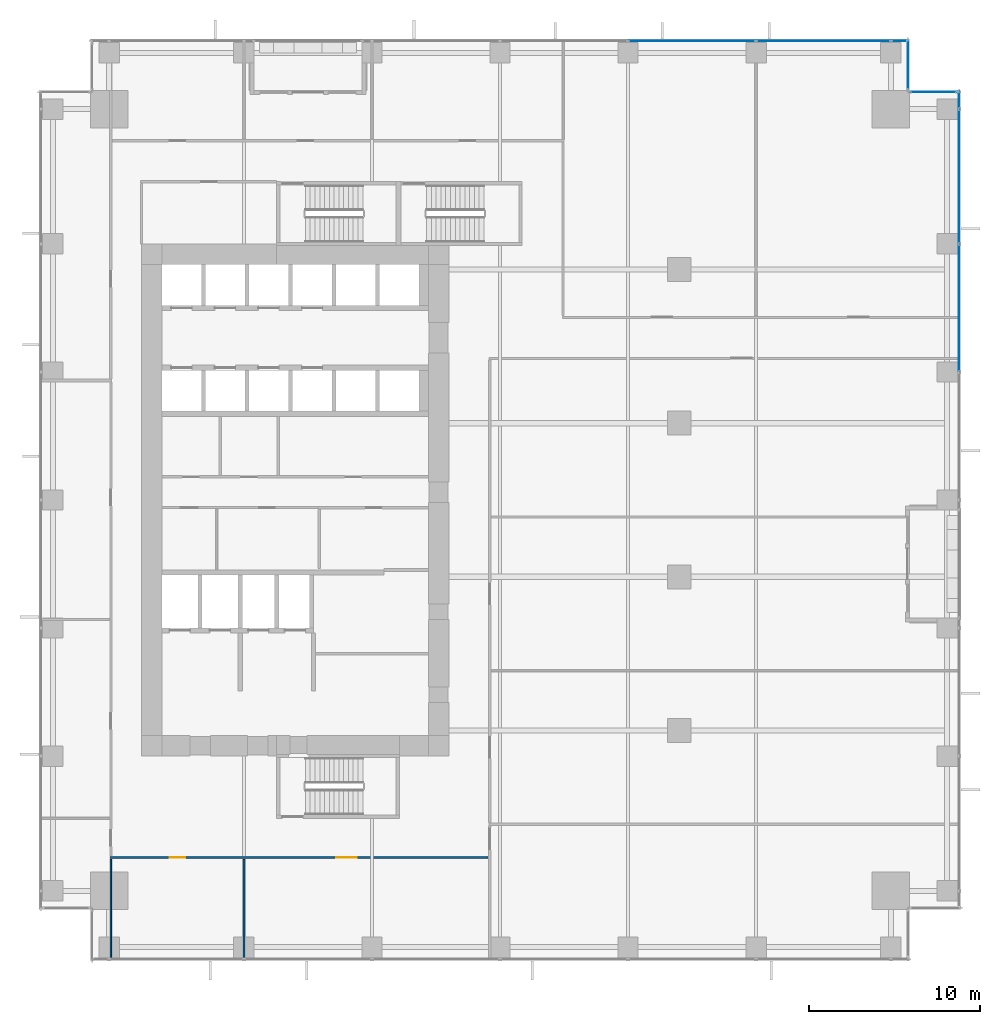
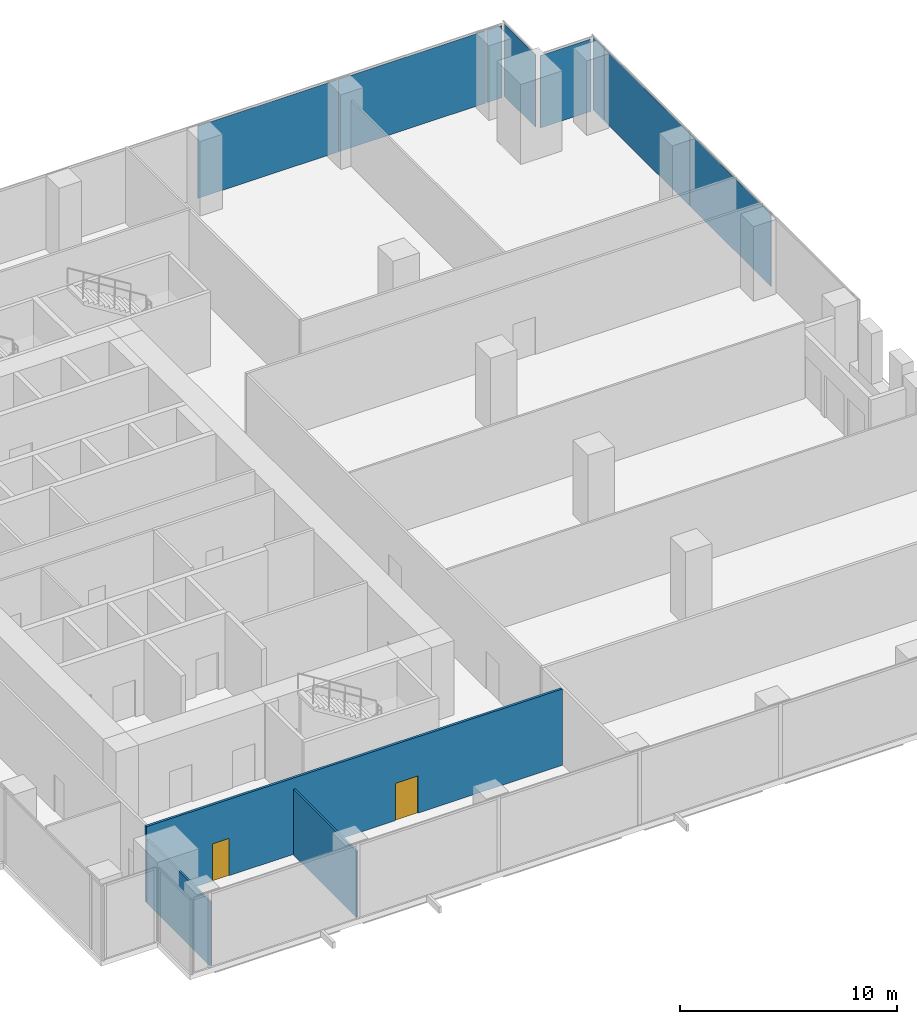
# One storey, part 25 of 32: 8 plates, 3 walls, 2 doors, 2 openings, 4 elements without a shape of their own.
"""IFC4 building model written with IfcOpenShell, lengths in metres."""

from ifc_helpers import new_model, si_unit, direction, frame, frame_2d, origin, origin_2d, place, context, subcontext, project, spatial, rectangle, extrude, source, transform, mapped, material, layer, layer_set, type_object, element, fill, aggregate, save


model = new_model("IFC4")

# Units and contexts
model_context = context("Model", 3, precision=1e-05, world=origin(), true_north=direction((0.0, 1.0)))
body_context = subcontext(model_context, "Body", "Model", "MODEL_VIEW")
ifc_project = project(units=[si_unit("LENGTHUNIT", "METRE"), si_unit("AREAUNIT", "SQUARE_METRE"), si_unit("VOLUMEUNIT", "CUBIC_METRE"), si_unit("PLANEANGLEUNIT", "RADIAN"), si_unit("MASSUNIT", "GRAM", prefix="KILO")], contexts=[model_context])

# Site, building, storey
site_placement = place(None, origin())
site = spatial("IfcSite", under=ifc_project, at=site_placement, CompositionType="ELEMENT")
building_placement = place(site_placement, origin())
building = spatial("IfcBuilding", under=site, at=building_placement, Name="Khomas Fold Tower", CompositionType="ELEMENT")
storey_placement = place(building_placement, frame((0.0, 0.0, 37.5)))
storey = spatial("IfcBuildingStorey", under=building, at=storey_placement, Name="L07", CompositionType="ELEMENT", Elevation=37.5)

# Curtain wall, plate
ifc_material_1 = material(Name="Aluminium framed double glazing", Category="aluminium")
curtain_wall_type = type_object("IfcCurtainWallType", Name="SK-Unitised clear-glass wall, growing floors CW1", PredefinedType="NOTDEFINED", material=ifc_material_1)
curtain_wall_1_placement = place(storey_placement, origin())
curtain_wall_1 = element("IfcCurtainWall", 1, at=curtain_wall_1_placement, inside=storey, type_object=curtain_wall_type, Name="CW1 run L07 06-0", PredefinedType="NOTDEFINED")
ifc_material_2 = material(Name="Clear double glazed unit")
ifc_layer_1 = layer(ifc_material_2, 0.031982421875)
ifc_layer_set_1 = layer_set([ifc_layer_1], Name="Clear double glazed unit")
plate_type = type_object("IfcPlateType", Name="SK-Unitised clear-glass wall, growing floors glass panel CW1-P", PredefinedType="CURTAIN_PANEL", material=ifc_layer_set_1)
shared_shape_1 = source(origin(), body_context, "Body", "SweptSolid", [
    extrude(rectangle(XDim=0.81005859375, YDim=0.031982421875, at=origin_2d()), origin(), (0.0, 0.0, 1.0), 4.080078125),
])
plate_1_placement = place(storey_placement, frame((50.3349609375, 53.89990234375, 0.0), z_axis=(0.0, 0.0, 1.0), x_axis=(-1.0, 0.0, 0.0)))
plate_1 = element("IfcPlate", 2, at=plate_1_placement, type_object=plate_type, Name="CW1 glass panel 1", PredefinedType="CURTAIN_PANEL", context=body_context, shape_type="MappedRepresentation", body=[
    mapped(shared_shape_1, transform((0.0, 0.0, 0.0))),
])

curtain_wall_2_placement = place(storey_placement, origin())
curtain_wall_2 = element("IfcCurtainWall", 3, at=curtain_wall_2_placement, inside=storey, type_object=curtain_wall_type, Name="CW1 run L07 03-1", PredefinedType="NOTDEFINED")
shared_shape_2 = source(origin(), body_context, "Body", "SweptSolid", [
    extrude(rectangle(XDim=7.840087890625, YDim=0.031982421875, at=origin_2d()), origin(), (0.0, 0.0, 1.0), 4.080078125),
])
plate_2_placement = place(storey_placement, frame((53.89990234375, 45.949951171875, 0.0), z_axis=(0.0, 0.0, 1.0), x_axis=(0.0, 1.0, 0.0)))
plate_2 = element("IfcPlate", 4, at=plate_2_placement, type_object=plate_type, Name="CW1 glass panel 4", PredefinedType="CURTAIN_PANEL", context=body_context, shape_type="MappedRepresentation", body=[
    mapped(shared_shape_2, transform((0.0, 0.0, 0.0))),
])

# Plate
plate_3_placement = place(storey_placement, frame((45.949951171875, 53.89990234375, 0.0), z_axis=(0.0, 0.0, 1.0), x_axis=(-1.0, 0.0, 0.0)))
plate_3 = element("IfcPlate", 5, at=plate_3_placement, type_object=plate_type, Name="CW1 glass panel 2", PredefinedType="CURTAIN_PANEL", context=body_context, shape_type="MappedRepresentation", body=[
    mapped(shared_shape_2, transform((0.0, 0.0, 0.0))),
])

shared_shape_3 = source(origin(), body_context, "Body", "SweptSolid", [
    extrude(rectangle(XDim=7.43994140625, YDim=0.031982421875, at=origin_2d()), origin(), (0.0, 0.0, 1.0), 4.080078125),
])
plate_4_placement = place(storey_placement, frame((53.89990234375, 38.25, 0.0), z_axis=(0.0, 0.0, 1.0), x_axis=(0.0, 1.0, 0.0)))
plate_4 = element("IfcPlate", 6, at=plate_4_placement, type_object=plate_type, Name="CW1 glass panel 3", PredefinedType="CURTAIN_PANEL", context=body_context, shape_type="MappedRepresentation", body=[
    mapped(shared_shape_3, transform((0.0, 0.0, 0.0))),
])

plate_5_placement = place(storey_placement, frame((38.25, 53.89990234375, 0.0), z_axis=(0.0, 0.0, 1.0), x_axis=(-1.0, 0.0, 0.0)))
plate_5 = element("IfcPlate", 7, at=plate_5_placement, type_object=plate_type, Name="CW1 glass panel 3", PredefinedType="CURTAIN_PANEL", context=body_context, shape_type="MappedRepresentation", body=[
    mapped(shared_shape_3, transform((0.0, 0.0, 0.0))),
])

aggregate(curtain_wall_1, [plate_1, plate_3, plate_5])

shared_shape_4 = source(origin(), body_context, "Body", "SweptSolid", [
    extrude(rectangle(XDim=1.010009765625, YDim=0.031982421875, at=origin_2d()), origin(), (0.0, 0.0, 1.0), 4.080078125),
])
plate_6_placement = place(storey_placement, frame((53.89990234375, 50.43505859375, 0.0), z_axis=(0.0, 0.0, 1.0), x_axis=(0.0, 1.0, 0.0)))
plate_6 = element("IfcPlate", 8, at=plate_6_placement, type_object=plate_type, Name="CW1 glass panel 5", PredefinedType="CURTAIN_PANEL", context=body_context, shape_type="MappedRepresentation", body=[
    mapped(shared_shape_4, transform((0.0, 0.0, 0.0))),
])

aggregate(curtain_wall_2, [plate_4, plate_2, plate_6])

# Curtain wall, plate
curtain_wall_3_placement = place(storey_placement, origin())
curtain_wall_3 = element("IfcCurtainWall", 9, at=curtain_wall_3_placement, inside=storey, type_object=curtain_wall_type, Name="CW1 corner return L07 04", PredefinedType="NOTDEFINED")
shared_shape_5 = source(origin(), body_context, "Body", "SweptSolid", [
    extrude(rectangle(XDim=2.679931640625, YDim=0.031982421875, at=origin_2d()), origin(), (0.0, 0.0, 1.0), 4.080078125),
])
plate_7_placement = place(storey_placement, frame((52.39990234375, 50.89990234375, 0.0), z_axis=(0.0, 0.0, 1.0), x_axis=(-1.0, 0.0, 0.0)))
plate_7 = element("IfcPlate", 10, at=plate_7_placement, type_object=plate_type, Name="CW1 glass panel 1", PredefinedType="CURTAIN_PANEL", context=body_context, shape_type="MappedRepresentation", body=[
    mapped(shared_shape_5, transform((0.0, 0.0, 0.0))),
])
aggregate(curtain_wall_3, [plate_7])

curtain_wall_4_placement = place(storey_placement, origin())
curtain_wall_4 = element("IfcCurtainWall", 11, at=curtain_wall_4_placement, inside=storey, type_object=curtain_wall_type, Name="CW1 corner return L07 05", PredefinedType="NOTDEFINED")
shared_shape_6 = source(origin(), body_context, "Body", "SweptSolid", [
    extrude(rectangle(XDim=2.8798828125, YDim=0.031982421875, at=origin_2d()), origin(), (0.0, 0.0, 1.0), 4.080078125),
])
plate_8_placement = place(storey_placement, frame((50.89990234375, 52.5, 0.0), z_axis=(0.0, 0.0, 1.0), x_axis=(0.0, 1.0, 0.0)))
plate_8 = element("IfcPlate", 12, at=plate_8_placement, type_object=plate_type, Name="CW1 glass panel 1", PredefinedType="CURTAIN_PANEL", context=body_context, shape_type="MappedRepresentation", body=[
    mapped(shared_shape_6, transform((0.0, 0.0, 0.0))),
])
aggregate(curtain_wall_4, [plate_8])

# Walls
ifc_material_3 = material(Name="Plasterboard partition")
ifc_layer_2 = layer(ifc_material_3, 0.10009765625)
ifc_layer_set_2 = layer_set([ifc_layer_2], Name="Plasterboard partition")
wall_type_1 = type_object("IfcWallType", Name="Partition PW1 100", PredefinedType="PARTITIONING", material=ifc_layer_set_2)
shared_shape_7 = source(origin(), body_context, "Body", "SweptSolid", [
    extrude(rectangle(XDim=5.800048828125, YDim=0.10009765625, at=frame_2d((2.89990234375, 0.0))), origin(), (0.0, 0.0, 1.0), 3.60009765625),
])
wall_1_placement = place(storey_placement, frame((4.199951171875, 0.14990234375, 0.0), z_axis=(0.0, 0.0, 1.0), x_axis=(0.0, 1.0, 0.0)))
element("IfcWall", 13, at=wall_1_placement, inside=storey, type_object=wall_type_1, Name="Partition", PredefinedType="PARTITIONING", context=body_context, shape_type="MappedRepresentation", body=[
    mapped(shared_shape_7, transform((0.0, 0.0, 0.0))),
])
shared_shape_8 = source(origin(), body_context, "Body", "SweptSolid", [
    extrude(rectangle(XDim=5.800048828125, YDim=0.10009765625, at=frame_2d((2.89990234375, 0.0))), origin(), (0.0, 0.0, 1.0), 3.699951171875),
])
wall_2_placement = place(storey_placement, frame((12.0, 0.14990234375, 0.0), z_axis=(0.0, 0.0, 1.0), x_axis=(0.0, 1.0, 0.0)))
element("IfcWall", 14, at=wall_2_placement, inside=storey, type_object=wall_type_1, Name="Partition", PredefinedType="PARTITIONING", context=body_context, shape_type="MappedRepresentation", body=[
    mapped(shared_shape_8, transform((0.0, 0.0, 0.0))),
])

# Wall, openings, doors
ifc_material_4 = material(Name="Plasterboard partition")
ifc_layer_3 = layer(ifc_material_4, 0.125)
ifc_layer_set_3 = layer_set([ifc_layer_3], Name="Plasterboard partition")
wall_type_2 = type_object("IfcWallType", Name="Partition PW2 125", PredefinedType="PARTITIONING", material=ifc_layer_set_3)
shared_shape_9 = source(origin(), body_context, "Body", "SweptSolid", [
    extrude(rectangle(XDim=22.150146484375, YDim=0.125, at=frame_2d((11.0751953125, 0.0))), origin(), (0.0, 0.0, 1.0), 4.300048828125),
])
wall_3_placement = place(storey_placement, frame((4.14990234375, 6.050048828125, 0.0), z_axis=(0.0, 0.0, 1.0), x_axis=(1.0, 0.0, 0.0)))
wall_3 = element("IfcWall", 15, at=wall_3_placement, inside=storey, type_object=wall_type_2, Name="Partition", PredefinedType="PARTITIONING", context=body_context, shape_type="MappedRepresentation", body=[
    mapped(shared_shape_9, transform((0.0, 0.0, 0.0))),
])
shared_shape_10 = source(origin(), body_context, "Body", "SweptSolid", [
    extrude(rectangle(XDim=0.89990234375, YDim=2.10009765625, at=frame_2d((0.449951171875, 1.050048828125))), frame((0.0, 0.072509765625, 0.0), z_axis=(0.0, -1.0, 0.0), x_axis=(1.0, 0.0, 0.0)), (0.0, 0.0, 1.0), 0.14501953125),
])
opening_1_placement = place(wall_3_placement, frame((3.5, 0.0, 0.0)))
opening_1 = element("IfcOpeningElement", 16, at=opening_1_placement, cuts=wall_3, Name="Opening 0007", PredefinedType="OPENING", context=body_context, shape_type="MappedRepresentation", body=[
    mapped(shared_shape_10, transform((0.0, 0.0, 0.0))),
])
shared_shape_11 = source(origin(), body_context, "Body", "SweptSolid", [
    extrude(rectangle(XDim=1.199951171875, YDim=2.10009765625, at=frame_2d((0.60009765625, 1.050048828125))), frame((0.0, 0.072509765625, 0.0), z_axis=(0.0, -1.0, 0.0), x_axis=(1.0, 0.0, 0.0)), (0.0, 0.0, 1.0), 0.14501953125),
])
opening_2_placement = place(wall_3_placement, frame((13.25, 0.0, 0.0)))
opening_2 = element("IfcOpeningElement", 17, at=opening_2_placement, cuts=wall_3, Name="Opening 0001", PredefinedType="OPENING", context=body_context, shape_type="MappedRepresentation", body=[
    mapped(shared_shape_11, transform((0.0, 0.0, 0.0))),
])
ifc_material_5 = material(Name="Timber door leaf", Category="wood")
door_type_1 = type_object("IfcDoorType", Name="Door 900x2100 left-hand", OperationType="SINGLE_SWING_LEFT", PredefinedType="DOOR", material=ifc_material_5)
shared_shape_12 = source(origin(), body_context, "Body", "SweptSolid", [
    extrude(rectangle(XDim=0.89990234375, YDim=2.10009765625, at=frame_2d((0.449951171875, 1.050048828125))), frame((0.0, 0.02490234375, 0.0), z_axis=(0.0, -1.0, 0.0), x_axis=(1.0, 0.0, 0.0)), (0.0, 0.0, 1.0), 0.050048828125),
])
door_1_placement = place(opening_1_placement, origin())
door_1 = element("IfcDoor", 18, at=door_1_placement, inside=storey, type_object=door_type_1, Name="Door", OperationType="SINGLE_SWING_LEFT", OverallHeight=2.10009765625, OverallWidth=0.89990234375, PredefinedType="DOOR", context=body_context, shape_type="MappedRepresentation", body=[
    mapped(shared_shape_12, transform((0.0, 0.0, 0.0))),
])
fill(opening_1, door_1)
ifc_material_6 = material(Name="Timber door leaf", Category="wood")
door_type_2 = type_object("IfcDoorType", Name="Door 1200x2100 right-hand", OperationType="SINGLE_SWING_RIGHT", PredefinedType="DOOR", material=ifc_material_6)
shared_shape_13 = source(origin(), body_context, "Body", "SweptSolid", [
    extrude(rectangle(XDim=1.199951171875, YDim=2.10009765625, at=frame_2d((0.60009765625, 1.050048828125))), frame((0.0, 0.02490234375, 0.0), z_axis=(0.0, -1.0, 0.0), x_axis=(1.0, 0.0, 0.0)), (0.0, 0.0, 1.0), 0.050048828125),
])
door_2_placement = place(opening_2_placement, origin())
door_2 = element("IfcDoor", 19, at=door_2_placement, inside=storey, type_object=door_type_2, Name="Door", OperationType="SINGLE_SWING_RIGHT", OverallHeight=2.10009765625, OverallWidth=1.199951171875, PredefinedType="DOOR", context=body_context, shape_type="MappedRepresentation", body=[
    mapped(shared_shape_13, transform((0.0, 0.0, 0.0))),
])
fill(opening_2, door_2)

save(model, "model.ifc")
